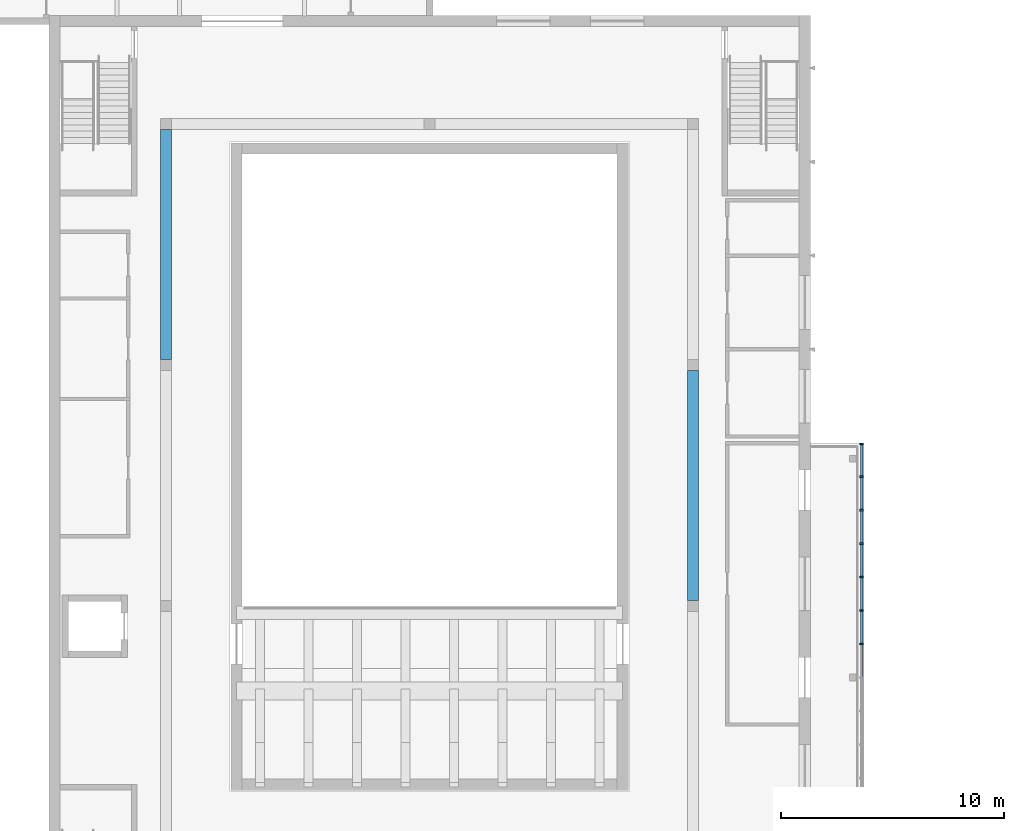
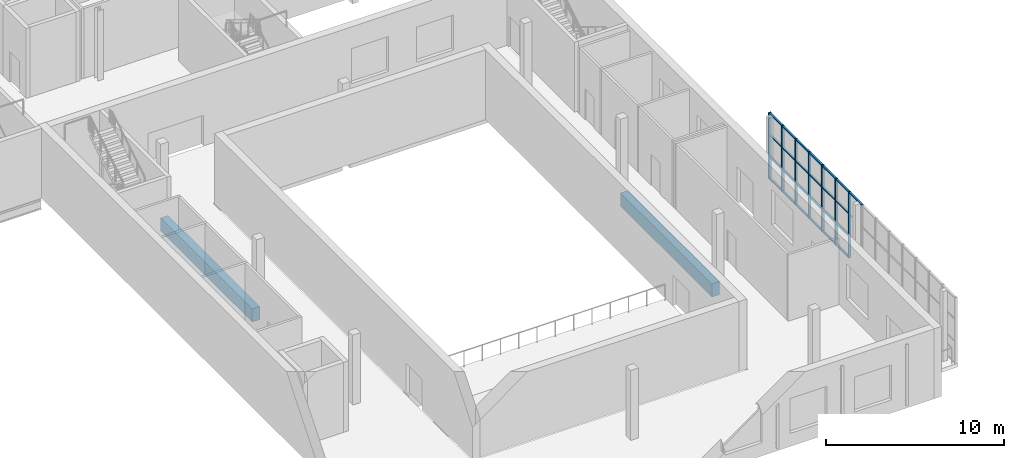
# One storey, part 16 of 127: 32 members, 2 beams, 1 element without a shape of its own.
"""IFC4 building model written with IfcOpenShell, lengths in metres."""

import ifcopenshell
import ifcopenshell.guid

model = None  # the IFC model being written
_history = None  # IfcOwnerHistory: only IFC2X3 demands one
_inside = {}  # id of a spatial element -> (the spatial element, [elements in it])
_under = {}  # id of a project, library or spatial element -> (it, [spatial elements below it])
_declared = {}  # id of a project -> (the project, [libraries it declares])
_typed = {}  # id of a type object -> (the type object, [elements of that type])
_made_of = {}  # id of a material, layer set ... -> (it, [elements and type objects made of it])


def new_model(schema):
    """Start an empty IFC model of exactly this schema.

    Asked for "IFC4X3", IfcOpenShell would pick the latest addendum, in which some entities
    have other attributes; the version numbers below select the first issue.
    IFC2X3 requires an IfcOwnerHistory on every rooted entity: one is made here for all.
    """
    global model, _history
    if schema == "IFC4X3":
        model = ifcopenshell.file(schema_version=(4, 3, 0, 0))
    else:
        model = ifcopenshell.file(schema=schema)
    _inside.clear()
    _under.clear()
    _declared.clear()
    _typed.clear()
    _made_of.clear()
    _history = None
    if model.schema == "IFC2X3":
        org = make("IfcOrganization", Name="unknown")
        user = make(
            "IfcPersonAndOrganization",
            ThePerson=make("IfcPerson", FamilyName="unknown"),
            TheOrganization=org,
        )
        app = make(
            "IfcApplication",
            ApplicationDeveloper=org,
            Version="unknown",
            ApplicationFullName="unknown",
            ApplicationIdentifier="unknown",
        )
        _history = make(
            "IfcOwnerHistory",
            OwningUser=user,
            OwningApplication=app,
            ChangeAction="ADDED",
            CreationDate=0,
        )
    return model


def make(cls, **values):
    """One entity of the class cls with the attributes given. An attribute that is None is left unset."""
    return model.create_entity(
        cls, **{name: value for name, value in values.items() if value is not None}
    )


def rooted(cls, **values):
    """An entity with a GlobalId (a new one), such as an element, a storey or a relation."""
    return make(cls, GlobalId=ifcopenshell.guid.new(), OwnerHistory=_history, **values)


def si_unit(unit_type, name, prefix=None):
    """IfcSIUnit, for example si_unit("LENGTHUNIT", "METRE", prefix="MILLI")."""
    return make("IfcSIUnit", UnitType=unit_type, Prefix=prefix, Name=name)


def assignment(units):
    """IfcUnitAssignment: the units of a project."""
    return None if units is None else make("IfcUnitAssignment", Units=units)


def point(xyz):
    """IfcCartesianPoint."""
    return None if xyz is None else make("IfcCartesianPoint", Coordinates=xyz)


def direction(xyz):
    """IfcDirection."""
    return None if xyz is None else make("IfcDirection", DirectionRatios=xyz)


def frame(location, z_axis=None, x_axis=None):
    """IfcAxis2Placement3D, a coordinate frame: its origin and axes. An axis left out is left unset."""
    return make(
        "IfcAxis2Placement3D",
        Location=point(location),
        Axis=direction(z_axis),
        RefDirection=direction(x_axis),
    )


def frame_2d(location, x_axis=None):
    """IfcAxis2Placement2D, a coordinate frame in the plane: its origin and x axis."""
    return make(
        "IfcAxis2Placement2D", Location=point(location), RefDirection=direction(x_axis)
    )


def origin():
    """The frame at (0, 0, 0) with its axes left unset."""
    return frame((0.0, 0.0, 0.0))


def origin_2d():
    """The frame at (0, 0) in the plane with its x axis left unset."""
    return frame_2d((0.0, 0.0))


def place(relative_to, where):
    """IfcLocalPlacement: puts the frame where relative to a parent placement (None: the world)."""
    return make(
        "IfcLocalPlacement", PlacementRelTo=relative_to, RelativePlacement=where
    )


def context(
    kind, dimensions, precision=None, world=None, true_north=None, identifier=None
):
    """IfcGeometricRepresentationContext, for example the 3D "Model" context."""
    return make(
        "IfcGeometricRepresentationContext",
        ContextIdentifier=identifier,
        ContextType=kind,
        CoordinateSpaceDimension=dimensions,
        Precision=precision,
        WorldCoordinateSystem=world,
        TrueNorth=true_north,
    )


def subcontext(parent, identifier, kind, view, scale=None):
    """IfcGeometricRepresentationSubContext, for example "Body" below "Model"."""
    return make(
        "IfcGeometricRepresentationSubContext",
        ContextIdentifier=identifier,
        ContextType=kind,
        ParentContext=parent,
        TargetScale=scale,
        TargetView=view,
    )


def project(units=None, contexts=None):
    """IfcProject with its units and contexts."""
    return rooted(
        "IfcProject",
        Name="project",
        RepresentationContexts=contexts,
        UnitsInContext=assignment(units),
    )


def spatial(cls, under=None, at=None, **own):
    """A site, building, storey or space (cls), placed at a placement, below another one or the project."""
    s = rooted(cls, ObjectPlacement=at, **own)
    if under is not None:
        _under.setdefault(under.id(), (under, []))[1].append(s)
    return s


def profile(cls, at=None, kind="AREA", **sizes):
    """A parametric profile (cls). Its sizes go by their IFC names, for example OverallWidth=200.0."""
    return make(cls, ProfileType=kind, Position=at, **sizes)


def rectangle(**sizes):
    """IfcRectangleProfileDef."""
    return profile("IfcRectangleProfileDef", **sizes)


def extrude(swept, where, along, depth):
    """IfcExtrudedAreaSolid: the profile swept, set in the frame where, extruded along a direction by depth."""
    return make(
        "IfcExtrudedAreaSolid",
        SweptArea=swept,
        Position=where,
        ExtrudedDirection=direction(along),
        Depth=depth,
    )


def shape(context_of_items, identifier, shape_type, items):
    """IfcShapeRepresentation: the items that make up one representation, for example the "Body"."""
    return make(
        "IfcShapeRepresentation",
        ContextOfItems=context_of_items,
        RepresentationIdentifier=identifier,
        RepresentationType=shape_type,
        Items=items,
    )


def material(Name=None, Category=None):
    """IfcMaterial."""
    return make("IfcMaterial", Name=Name, Category=Category)


def material_profile(
    of_material, cross_section, Name=None, Category=None, Priority=None
):
    """IfcMaterialProfile: a cross section and its material."""
    return make(
        "IfcMaterialProfile",
        Name=Name,
        Material=of_material,
        Profile=cross_section,
        Priority=Priority,
        Category=Category,
    )


def profile_set(profiles, Name=None, composite=None):
    """IfcMaterialProfileSet."""
    return make(
        "IfcMaterialProfileSet",
        Name=Name,
        MaterialProfiles=profiles,
        CompositeProfile=composite,
    )


def made_of(thing, what):
    """Note that an element or type object is made of a material, layer set ...; save() writes the relation."""
    if what is not None:
        _made_of.setdefault(what.id(), (what, []))[1].append(thing)
    return thing


def type_object(cls, material=None, **own):
    """A type object (cls), such as IfcWallType, which elements share."""
    return made_of(rooted(cls, **own), material)


def element(
    cls,
    number,
    at=None,
    inside=None,
    cuts=None,
    type_object=None,
    material=None,
    context=None,
    identifier="Body",
    shape_type=None,
    held_by="IfcProductDefinitionShape",
    body=None,
    shapes=None,
    **own,
):
    """One element of the class cls, such as IfcWall. Its Tag is "e" and its number.

    at: its placement. inside: the storey or other place that contains it. cuts: it is an
    opening in that element (IfcRelVoidsElement). A single representation is given by context,
    identifier, shape_type and body (its items); several are given by shapes. held_by: the class
    of the entity that holds the representations. save() writes the other relations.
    """
    e = rooted(cls, Tag="e%d" % number, ObjectPlacement=at, **own)
    if body is not None:
        shapes = [shape(context, identifier, shape_type, body)]
    if shapes is not None:
        e.Representation = make(held_by, Representations=shapes)
    if inside is not None:
        _inside.setdefault(inside.id(), (inside, []))[1].append(e)
    if cuts is not None:
        rooted(
            "IfcRelVoidsElement", RelatingBuildingElement=cuts, RelatedOpeningElement=e
        )
    if type_object is not None:
        _typed.setdefault(type_object.id(), (type_object, []))[1].append(e)
    return made_of(e, material)


def aggregate(whole, parts):
    """IfcRelAggregates: a whole, such as a stair, and the parts it consists of."""
    return rooted("IfcRelAggregates", RelatingObject=whole, RelatedObjects=parts)


def save(model, path):
    """Write the relations noted so far, then the file.

    IfcRelAggregates (storeys below a building ...), IfcRelContainedInSpatialStructure (elements
    in a storey), IfcRelDefinesByType, IfcRelAssociatesMaterial and IfcRelDeclares: one each for
    every whole, place, type object, material and project.
    """
    for whole, parts in _under.values():
        aggregate(whole, parts)
    for where, things in _inside.values():
        rooted(
            "IfcRelContainedInSpatialStructure",
            RelatedElements=things,
            RelatingStructure=where,
        )
    for kind, things in _typed.values():
        rooted("IfcRelDefinesByType", RelatedObjects=things, RelatingType=kind)
    for what, things in _made_of.values():
        rooted("IfcRelAssociatesMaterial", RelatedObjects=things, RelatingMaterial=what)
    for by, libraries in _declared.values():
        rooted("IfcRelDeclares", RelatingContext=by, RelatedDefinitions=libraries)
    model.write(path)


model = new_model("IFC4")

# Units and contexts
model_context = context("Model", 3, precision=1e-05, world=origin(), true_north=direction((0.0, 1.0)))
body_context = subcontext(model_context, "Body", "Model", "MODEL_VIEW")
ifc_project = project(units=[si_unit("LENGTHUNIT", "METRE"), si_unit("AREAUNIT", "SQUARE_METRE"), si_unit("VOLUMEUNIT", "CUBIC_METRE"), si_unit("PLANEANGLEUNIT", "RADIAN"), si_unit("MASSUNIT", "GRAM", prefix="KILO")], contexts=[model_context])

# Site, building, storey
site_placement = place(None, origin())
site = spatial("IfcSite", under=ifc_project, at=site_placement, CompositionType="ELEMENT")
building_placement = place(site_placement, origin())
building = spatial("IfcBuilding", under=site, at=building_placement, Name="Ljudholm Concert House", CompositionType="ELEMENT")
storey_placement = place(building_placement, frame((0.0, 0.0, 5.39990234375)))
storey = spatial("IfcBuildingStorey", under=building, at=storey_placement, Name="L01", CompositionType="ELEMENT", Elevation=5.39990234375)

# Curtain wall, members
ifc_material_1 = material(Name="Aluminium curtain wall with fixed aluminium storm louvre blades, timber-grain pvdf finish", Category="aluminium")
curtain_wall_type = type_object("IfcCurtainWallType", Name="CURTAIN WALL 1500", PredefinedType="NOTDEFINED", material=ifc_material_1)
curtain_wall_placement = place(storey_placement, origin())
curtain_wall = element("IfcCurtainWall", 1, at=curtain_wall_placement, inside=storey, type_object=curtain_wall_type, Name="Storm louvre screen", PredefinedType="NOTDEFINED")
ifc_material_2 = material(Name="Aluminium extrusion", Category="aluminium")
ifc_material_profile_1 = material_profile(ifc_material_2, rectangle(XDim=0.159912109375, YDim=0.080078125, at=origin_2d()), Name="MULLION 80x160")
ifc_profile_set_1 = profile_set([ifc_material_profile_1], Name="Aluminium extrusion")
member_type_1 = type_object("IfcMemberType", Name="MULLION 80x160", PredefinedType="MULLION", material=ifc_profile_set_1)
member_1_placement = place(storey_placement, frame((48.550048828125, 18.10009765625, 0.0), z_axis=(0.0, 0.0, 1.0), x_axis=(-1.0, 0.0, 0.0)))
member_1 = element("IfcMember", 2, at=member_1_placement, type_object=member_type_1, Name="Mullion", PredefinedType="MULLION", context=body_context, shape_type="SweptSolid", body=[
    extrude(rectangle(XDim=0.159912109375, YDim=0.080078125, at=origin_2d()), origin(), (0.0, 0.0, 1.0), 4.550048828125),
])
member_2_placement = place(storey_placement, frame((48.550048828125, 19.60009765625, 0.0), z_axis=(0.0, 0.0, 1.0), x_axis=(-1.0, 0.0, 0.0)))
member_2 = element("IfcMember", 3, at=member_2_placement, type_object=member_type_1, Name="Mullion", PredefinedType="MULLION", context=body_context, shape_type="SweptSolid", body=[
    extrude(rectangle(XDim=0.159912109375, YDim=0.080078125, at=origin_2d()), origin(), (0.0, 0.0, 1.0), 4.550048828125),
])
member_3_placement = place(storey_placement, frame((48.550048828125, 21.10009765625, 0.0), z_axis=(0.0, 0.0, 1.0), x_axis=(-1.0, 0.0, 0.0)))
member_3 = element("IfcMember", 4, at=member_3_placement, type_object=member_type_1, Name="Mullion", PredefinedType="MULLION", context=body_context, shape_type="SweptSolid", body=[
    extrude(rectangle(XDim=0.159912109375, YDim=0.080078125, at=origin_2d()), origin(), (0.0, 0.0, 1.0), 4.550048828125),
])
member_4_placement = place(storey_placement, frame((48.550048828125, 22.60009765625, 0.0), z_axis=(0.0, 0.0, 1.0), x_axis=(-1.0, 0.0, 0.0)))
member_4 = element("IfcMember", 5, at=member_4_placement, type_object=member_type_1, Name="Mullion", PredefinedType="MULLION", context=body_context, shape_type="SweptSolid", body=[
    extrude(rectangle(XDim=0.159912109375, YDim=0.080078125, at=origin_2d()), origin(), (0.0, 0.0, 1.0), 4.550048828125),
])
member_5_placement = place(storey_placement, frame((48.550048828125, 24.10009765625, 0.0), z_axis=(0.0, 0.0, 1.0), x_axis=(-1.0, 0.0, 0.0)))
member_5 = element("IfcMember", 6, at=member_5_placement, type_object=member_type_1, Name="Mullion", PredefinedType="MULLION", context=body_context, shape_type="SweptSolid", body=[
    extrude(rectangle(XDim=0.159912109375, YDim=0.080078125, at=origin_2d()), origin(), (0.0, 0.0, 1.0), 4.550048828125),
])
member_6_placement = place(storey_placement, frame((48.550048828125, 25.60009765625, 0.0), z_axis=(0.0, 0.0, 1.0), x_axis=(-1.0, 0.0, 0.0)))
member_6 = element("IfcMember", 7, at=member_6_placement, type_object=member_type_1, Name="Mullion", PredefinedType="MULLION", context=body_context, shape_type="SweptSolid", body=[
    extrude(rectangle(XDim=0.159912109375, YDim=0.080078125, at=origin_2d()), origin(), (0.0, 0.0, 1.0), 4.550048828125),
])
member_7_placement = place(storey_placement, frame((48.550048828125, 27.06005859375, 0.0), z_axis=(0.0, 0.0, 1.0), x_axis=(-1.0, 0.0, 0.0)))
member_7 = element("IfcMember", 8, at=member_7_placement, type_object=member_type_1, Name="Mullion", PredefinedType="MULLION", context=body_context, shape_type="SweptSolid", body=[
    extrude(rectangle(XDim=0.159912109375, YDim=0.080078125, at=origin_2d()), origin(), (0.0, 0.0, 1.0), 4.550048828125),
])

# Beams
ifc_material_3 = material(Name="Concrete 6,500 psi", Category="concrete")
ifc_material_profile_2 = material_profile(ifc_material_3, rectangle(XDim=0.5, YDim=0.89990234375, at=origin_2d()), Name="RC BEAM 500x900")
ifc_profile_set_2 = profile_set([ifc_material_profile_2], Name="Concrete 6,500 psi")
beam_type = type_object("IfcBeamType", Name="RC BEAM 500x900", PredefinedType="BEAM", material=ifc_profile_set_2)
beam_1_placement = place(storey_placement, frame((17.39990234375, 30.85009765625, -0.699951171875), z_axis=(0.0, 1.0, 0.0), x_axis=(-1.0, 0.0, 0.0)))
element("IfcBeam", 9, at=beam_1_placement, inside=storey, type_object=beam_type, Name="Ring beam", PredefinedType="BEAM", context=body_context, shape_type="SweptSolid", body=[
    extrude(rectangle(XDim=0.5, YDim=0.89990234375, at=origin_2d()), origin(), (0.0, 0.0, 1.0), 10.2998046875),
])
beam_2_placement = place(storey_placement, frame((41.0, 20.050048828125, -0.699951171875), z_axis=(0.0, 1.0, 0.0), x_axis=(-1.0, 0.0, 0.0)))
element("IfcBeam", 10, at=beam_2_placement, inside=storey, type_object=beam_type, Name="Ring beam", PredefinedType="BEAM", context=body_context, shape_type="SweptSolid", body=[
    extrude(rectangle(XDim=0.5, YDim=0.89990234375, at=origin_2d()), origin(), (0.0, 0.0, 1.0), 10.300048828125),
])

# Member
ifc_material_4 = material(Name="Aluminium extrusion", Category="aluminium")
ifc_material_profile_3 = material_profile(ifc_material_4, rectangle(XDim=0.1201171875, YDim=0.080078125, at=origin_2d()), Name="TRANSOM 80x120")
ifc_profile_set_3 = profile_set([ifc_material_profile_3], Name="Aluminium extrusion")
member_type_2 = type_object("IfcMemberType", Name="TRANSOM 80x120", PredefinedType="USERDEFINED", material=ifc_profile_set_3)
member_8_placement = place(storey_placement, frame((48.550048828125, 16.639892578125, 4.510009765625), z_axis=(0.0, 1.0, 0.0), x_axis=(-1.0, 0.0, 0.0)))
member_8 = element("IfcMember", 11, at=member_8_placement, type_object=member_type_2, Name="Transom", ObjectType="TRANSOM", PredefinedType="USERDEFINED", context=body_context, shape_type="SweptSolid", body=[
    extrude(rectangle(XDim=0.1201171875, YDim=0.080078125, at=origin_2d()), origin(), (0.0, 0.0, 1.0), 1.420166015625),
])

member_9_placement = place(storey_placement, frame((48.550048828125, 18.139892578125, 0.0400390625), z_axis=(0.0, 1.0, 0.0), x_axis=(-1.0, 0.0, 0.0)))
member_9 = element("IfcMember", 12, at=member_9_placement, type_object=member_type_2, Name="Transom", ObjectType="TRANSOM", PredefinedType="USERDEFINED", context=body_context, shape_type="SweptSolid", body=[
    extrude(rectangle(XDim=0.1201171875, YDim=0.080078125, at=origin_2d()), origin(), (0.0, 0.0, 1.0), 1.420166015625),
])

member_10_placement = place(storey_placement, frame((48.550048828125, 18.139892578125, 1.516845703125), z_axis=(0.0, 1.0, 0.0), x_axis=(-1.0, 0.0, 0.0)))
member_10 = element("IfcMember", 13, at=member_10_placement, type_object=member_type_2, Name="Transom", ObjectType="TRANSOM", PredefinedType="USERDEFINED", context=body_context, shape_type="SweptSolid", body=[
    extrude(rectangle(XDim=0.1201171875, YDim=0.080078125, at=origin_2d()), origin(), (0.0, 0.0, 1.0), 1.420166015625),
])

member_11_placement = place(storey_placement, frame((48.550048828125, 18.139892578125, 3.033447265625), z_axis=(0.0, 1.0, 0.0), x_axis=(-1.0, 0.0, 0.0)))
member_11 = element("IfcMember", 14, at=member_11_placement, type_object=member_type_2, Name="Transom", ObjectType="TRANSOM", PredefinedType="USERDEFINED", context=body_context, shape_type="SweptSolid", body=[
    extrude(rectangle(XDim=0.1201171875, YDim=0.080078125, at=origin_2d()), origin(), (0.0, 0.0, 1.0), 1.420166015625),
])

member_12_placement = place(storey_placement, frame((48.550048828125, 18.139892578125, 4.510009765625), z_axis=(0.0, 1.0, 0.0), x_axis=(-1.0, 0.0, 0.0)))
member_12 = element("IfcMember", 15, at=member_12_placement, type_object=member_type_2, Name="Transom", ObjectType="TRANSOM", PredefinedType="USERDEFINED", context=body_context, shape_type="SweptSolid", body=[
    extrude(rectangle(XDim=0.1201171875, YDim=0.080078125, at=origin_2d()), origin(), (0.0, 0.0, 1.0), 1.420166015625),
])

member_13_placement = place(storey_placement, frame((48.550048828125, 19.639892578125, 0.0400390625), z_axis=(0.0, 1.0, 0.0), x_axis=(-1.0, 0.0, 0.0)))
member_13 = element("IfcMember", 16, at=member_13_placement, type_object=member_type_2, Name="Transom", ObjectType="TRANSOM", PredefinedType="USERDEFINED", context=body_context, shape_type="SweptSolid", body=[
    extrude(rectangle(XDim=0.1201171875, YDim=0.080078125, at=origin_2d()), origin(), (0.0, 0.0, 1.0), 1.420166015625),
])

member_14_placement = place(storey_placement, frame((48.550048828125, 19.639892578125, 1.516845703125), z_axis=(0.0, 1.0, 0.0), x_axis=(-1.0, 0.0, 0.0)))
member_14 = element("IfcMember", 17, at=member_14_placement, type_object=member_type_2, Name="Transom", ObjectType="TRANSOM", PredefinedType="USERDEFINED", context=body_context, shape_type="SweptSolid", body=[
    extrude(rectangle(XDim=0.1201171875, YDim=0.080078125, at=origin_2d()), origin(), (0.0, 0.0, 1.0), 1.420166015625),
])

member_15_placement = place(storey_placement, frame((48.550048828125, 19.639892578125, 3.033447265625), z_axis=(0.0, 1.0, 0.0), x_axis=(-1.0, 0.0, 0.0)))
member_15 = element("IfcMember", 18, at=member_15_placement, type_object=member_type_2, Name="Transom", ObjectType="TRANSOM", PredefinedType="USERDEFINED", context=body_context, shape_type="SweptSolid", body=[
    extrude(rectangle(XDim=0.1201171875, YDim=0.080078125, at=origin_2d()), origin(), (0.0, 0.0, 1.0), 1.420166015625),
])

member_16_placement = place(storey_placement, frame((48.550048828125, 19.639892578125, 4.510009765625), z_axis=(0.0, 1.0, 0.0), x_axis=(-1.0, 0.0, 0.0)))
member_16 = element("IfcMember", 19, at=member_16_placement, type_object=member_type_2, Name="Transom", ObjectType="TRANSOM", PredefinedType="USERDEFINED", context=body_context, shape_type="SweptSolid", body=[
    extrude(rectangle(XDim=0.1201171875, YDim=0.080078125, at=origin_2d()), origin(), (0.0, 0.0, 1.0), 1.420166015625),
])

member_17_placement = place(storey_placement, frame((48.550048828125, 21.139892578125, 0.0400390625), z_axis=(0.0, 1.0, 0.0), x_axis=(-1.0, 0.0, 0.0)))
member_17 = element("IfcMember", 20, at=member_17_placement, type_object=member_type_2, Name="Transom", ObjectType="TRANSOM", PredefinedType="USERDEFINED", context=body_context, shape_type="SweptSolid", body=[
    extrude(rectangle(XDim=0.1201171875, YDim=0.080078125, at=origin_2d()), origin(), (0.0, 0.0, 1.0), 1.420166015625),
])

member_18_placement = place(storey_placement, frame((48.550048828125, 21.139892578125, 1.516845703125), z_axis=(0.0, 1.0, 0.0), x_axis=(-1.0, 0.0, 0.0)))
member_18 = element("IfcMember", 21, at=member_18_placement, type_object=member_type_2, Name="Transom", ObjectType="TRANSOM", PredefinedType="USERDEFINED", context=body_context, shape_type="SweptSolid", body=[
    extrude(rectangle(XDim=0.1201171875, YDim=0.080078125, at=origin_2d()), origin(), (0.0, 0.0, 1.0), 1.420166015625),
])

member_19_placement = place(storey_placement, frame((48.550048828125, 21.139892578125, 3.033447265625), z_axis=(0.0, 1.0, 0.0), x_axis=(-1.0, 0.0, 0.0)))
member_19 = element("IfcMember", 22, at=member_19_placement, type_object=member_type_2, Name="Transom", ObjectType="TRANSOM", PredefinedType="USERDEFINED", context=body_context, shape_type="SweptSolid", body=[
    extrude(rectangle(XDim=0.1201171875, YDim=0.080078125, at=origin_2d()), origin(), (0.0, 0.0, 1.0), 1.420166015625),
])

member_20_placement = place(storey_placement, frame((48.550048828125, 21.139892578125, 4.510009765625), z_axis=(0.0, 1.0, 0.0), x_axis=(-1.0, 0.0, 0.0)))
member_20 = element("IfcMember", 23, at=member_20_placement, type_object=member_type_2, Name="Transom", ObjectType="TRANSOM", PredefinedType="USERDEFINED", context=body_context, shape_type="SweptSolid", body=[
    extrude(rectangle(XDim=0.1201171875, YDim=0.080078125, at=origin_2d()), origin(), (0.0, 0.0, 1.0), 1.420166015625),
])

member_21_placement = place(storey_placement, frame((48.550048828125, 22.639892578125, 0.0400390625), z_axis=(0.0, 1.0, 0.0), x_axis=(-1.0, 0.0, 0.0)))
member_21 = element("IfcMember", 24, at=member_21_placement, type_object=member_type_2, Name="Transom", ObjectType="TRANSOM", PredefinedType="USERDEFINED", context=body_context, shape_type="SweptSolid", body=[
    extrude(rectangle(XDim=0.1201171875, YDim=0.080078125, at=origin_2d()), origin(), (0.0, 0.0, 1.0), 1.420166015625),
])

member_22_placement = place(storey_placement, frame((48.550048828125, 22.639892578125, 1.516845703125), z_axis=(0.0, 1.0, 0.0), x_axis=(-1.0, 0.0, 0.0)))
member_22 = element("IfcMember", 25, at=member_22_placement, type_object=member_type_2, Name="Transom", ObjectType="TRANSOM", PredefinedType="USERDEFINED", context=body_context, shape_type="SweptSolid", body=[
    extrude(rectangle(XDim=0.1201171875, YDim=0.080078125, at=origin_2d()), origin(), (0.0, 0.0, 1.0), 1.420166015625),
])

member_23_placement = place(storey_placement, frame((48.550048828125, 22.639892578125, 3.033447265625), z_axis=(0.0, 1.0, 0.0), x_axis=(-1.0, 0.0, 0.0)))
member_23 = element("IfcMember", 26, at=member_23_placement, type_object=member_type_2, Name="Transom", ObjectType="TRANSOM", PredefinedType="USERDEFINED", context=body_context, shape_type="SweptSolid", body=[
    extrude(rectangle(XDim=0.1201171875, YDim=0.080078125, at=origin_2d()), origin(), (0.0, 0.0, 1.0), 1.420166015625),
])

member_24_placement = place(storey_placement, frame((48.550048828125, 22.639892578125, 4.510009765625), z_axis=(0.0, 1.0, 0.0), x_axis=(-1.0, 0.0, 0.0)))
member_24 = element("IfcMember", 27, at=member_24_placement, type_object=member_type_2, Name="Transom", ObjectType="TRANSOM", PredefinedType="USERDEFINED", context=body_context, shape_type="SweptSolid", body=[
    extrude(rectangle(XDim=0.1201171875, YDim=0.080078125, at=origin_2d()), origin(), (0.0, 0.0, 1.0), 1.420166015625),
])

member_25_placement = place(storey_placement, frame((48.550048828125, 24.139892578125, 0.0400390625), z_axis=(0.0, 1.0, 0.0), x_axis=(-1.0, 0.0, 0.0)))
member_25 = element("IfcMember", 28, at=member_25_placement, type_object=member_type_2, Name="Transom", ObjectType="TRANSOM", PredefinedType="USERDEFINED", context=body_context, shape_type="SweptSolid", body=[
    extrude(rectangle(XDim=0.1201171875, YDim=0.080078125, at=origin_2d()), origin(), (0.0, 0.0, 1.0), 1.420166015625),
])

member_26_placement = place(storey_placement, frame((48.550048828125, 24.139892578125, 1.516845703125), z_axis=(0.0, 1.0, 0.0), x_axis=(-1.0, 0.0, 0.0)))
member_26 = element("IfcMember", 29, at=member_26_placement, type_object=member_type_2, Name="Transom", ObjectType="TRANSOM", PredefinedType="USERDEFINED", context=body_context, shape_type="SweptSolid", body=[
    extrude(rectangle(XDim=0.1201171875, YDim=0.080078125, at=origin_2d()), origin(), (0.0, 0.0, 1.0), 1.420166015625),
])

member_27_placement = place(storey_placement, frame((48.550048828125, 24.139892578125, 3.033447265625), z_axis=(0.0, 1.0, 0.0), x_axis=(-1.0, 0.0, 0.0)))
member_27 = element("IfcMember", 30, at=member_27_placement, type_object=member_type_2, Name="Transom", ObjectType="TRANSOM", PredefinedType="USERDEFINED", context=body_context, shape_type="SweptSolid", body=[
    extrude(rectangle(XDim=0.1201171875, YDim=0.080078125, at=origin_2d()), origin(), (0.0, 0.0, 1.0), 1.420166015625),
])

member_28_placement = place(storey_placement, frame((48.550048828125, 24.139892578125, 4.510009765625), z_axis=(0.0, 1.0, 0.0), x_axis=(-1.0, 0.0, 0.0)))
member_28 = element("IfcMember", 31, at=member_28_placement, type_object=member_type_2, Name="Transom", ObjectType="TRANSOM", PredefinedType="USERDEFINED", context=body_context, shape_type="SweptSolid", body=[
    extrude(rectangle(XDim=0.1201171875, YDim=0.080078125, at=origin_2d()), origin(), (0.0, 0.0, 1.0), 1.420166015625),
])

member_29_placement = place(storey_placement, frame((48.550048828125, 25.639892578125, 0.0400390625), z_axis=(0.0, 1.0, 0.0), x_axis=(-1.0, 0.0, 0.0)))
member_29 = element("IfcMember", 32, at=member_29_placement, type_object=member_type_2, Name="Transom", ObjectType="TRANSOM", PredefinedType="USERDEFINED", context=body_context, shape_type="SweptSolid", body=[
    extrude(rectangle(XDim=0.1201171875, YDim=0.080078125, at=origin_2d()), origin(), (0.0, 0.0, 1.0), 1.380126953125),
])

member_30_placement = place(storey_placement, frame((48.550048828125, 25.639892578125, 1.516845703125), z_axis=(0.0, 1.0, 0.0), x_axis=(-1.0, 0.0, 0.0)))
member_30 = element("IfcMember", 33, at=member_30_placement, type_object=member_type_2, Name="Transom", ObjectType="TRANSOM", PredefinedType="USERDEFINED", context=body_context, shape_type="SweptSolid", body=[
    extrude(rectangle(XDim=0.1201171875, YDim=0.080078125, at=origin_2d()), origin(), (0.0, 0.0, 1.0), 1.380126953125),
])

member_31_placement = place(storey_placement, frame((48.550048828125, 25.639892578125, 3.033447265625), z_axis=(0.0, 1.0, 0.0), x_axis=(-1.0, 0.0, 0.0)))
member_31 = element("IfcMember", 34, at=member_31_placement, type_object=member_type_2, Name="Transom", ObjectType="TRANSOM", PredefinedType="USERDEFINED", context=body_context, shape_type="SweptSolid", body=[
    extrude(rectangle(XDim=0.1201171875, YDim=0.080078125, at=origin_2d()), origin(), (0.0, 0.0, 1.0), 1.380126953125),
])

member_32_placement = place(storey_placement, frame((48.550048828125, 25.639892578125, 4.510009765625), z_axis=(0.0, 1.0, 0.0), x_axis=(-1.0, 0.0, 0.0)))
member_32 = element("IfcMember", 35, at=member_32_placement, type_object=member_type_2, Name="Transom", ObjectType="TRANSOM", PredefinedType="USERDEFINED", context=body_context, shape_type="SweptSolid", body=[
    extrude(rectangle(XDim=0.1201171875, YDim=0.080078125, at=origin_2d()), origin(), (0.0, 0.0, 1.0), 1.380126953125),
])

aggregate(curtain_wall, [member_1, member_2, member_3, member_4, member_5, member_6, member_7, member_8, member_9, member_10, member_11, member_12, member_13, member_14, member_15, member_16, member_17, member_18, member_19, member_20, member_21, member_22, member_23, member_24, member_25, member_26, member_27, member_28, member_29, member_30, member_31, member_32])

save(model, "model.ifc")
